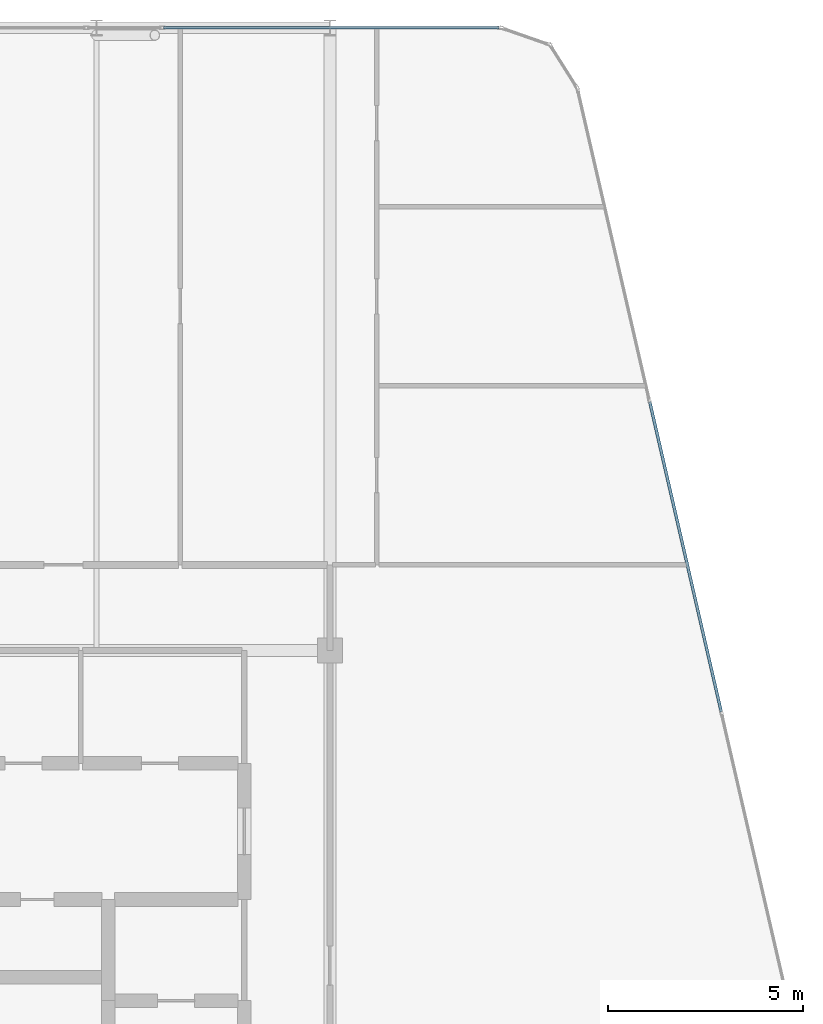
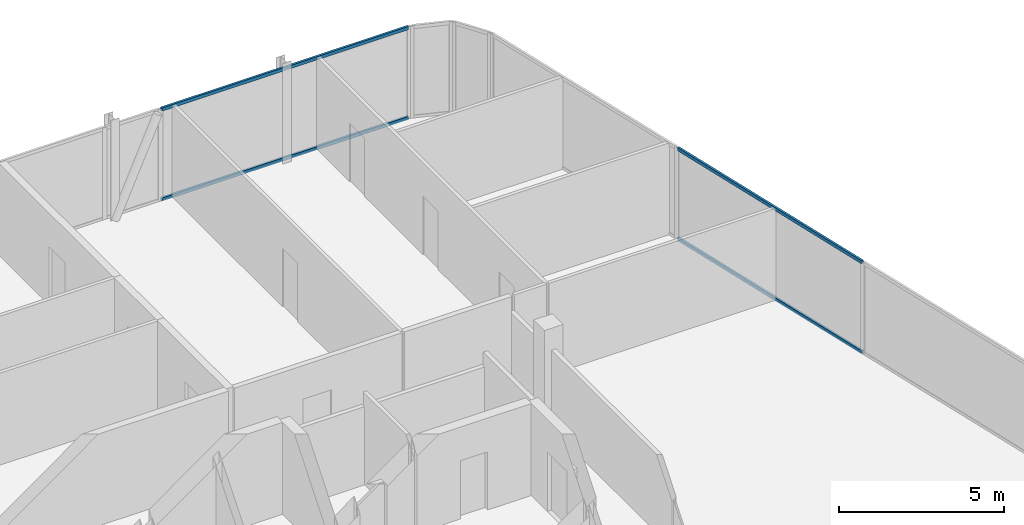
# One storey, part 18 of 27: 4 members, 2 elements without a shape of their own.
"""IFC4 building model written with IfcOpenShell, lengths in metres."""

from ifc_helpers import new_model, si_unit, direction, frame, origin, origin_2d, place, context, subcontext, project, spatial, hollow_rectangle, extrude, material, layer, layer_set, material_profile, profile_set, type_object, element, aggregate, save


model = new_model("IFC4")

# Units and contexts
model_context = context("Model", 3, precision=1e-05, world=origin(), true_north=direction((0.0, 1.0)))
body_context = subcontext(model_context, "Body", "Model", "MODEL_VIEW")
ifc_project = project(units=[si_unit("LENGTHUNIT", "METRE"), si_unit("AREAUNIT", "SQUARE_METRE"), si_unit("VOLUMEUNIT", "CUBIC_METRE"), si_unit("PLANEANGLEUNIT", "RADIAN"), si_unit("MASSUNIT", "GRAM", prefix="KILO")], contexts=[model_context])

# Site, building, storey
site_placement = place(None, origin())
site = spatial("IfcSite", under=ifc_project, at=site_placement, CompositionType="ELEMENT")
building_placement = place(site_placement, origin())
building = spatial("IfcBuilding", under=site, at=building_placement, Name="Keshet Zoharim Tower", CompositionType="ELEMENT")
storey_placement = place(building_placement, frame((0.0, 0.0, 307.300048828125)))
storey = spatial("IfcBuildingStorey", under=building, at=storey_placement, Name="L77", CompositionType="ELEMENT", Elevation=307.300048828125)

# Curtain wall, members
ifc_material = material(Name="Aluminium 6063-T6", Category="aluminium")
ifc_layer = layer(ifc_material, 0.260009765625)
ifc_layer_set = layer_set([ifc_layer], Name="Aluminium 6063-T6")
curtain_wall_type = type_object("IfcCurtainWallType", Name="CW-SYS-06", PredefinedType="NOTDEFINED", material=ifc_layer_set)
curtain_wall_1_placement = place(storey_placement, origin())
curtain_wall_1 = element("IfcCurtainWall", 1, at=curtain_wall_1_placement, inside=storey, type_object=curtain_wall_type, Name="L77 Unitised Curtain Wall 06 Part 5", PredefinedType="NOTDEFINED")
ifc_material_profile = material_profile(ifc_material, hollow_rectangle(XDim=0.074951171875, YDim=0.1201171875, WallThickness=0.00390625, at=origin_2d()), Name="TRN-75x120")
ifc_profile_set = profile_set([ifc_material_profile], Name="Aluminium 6063-T6")
member_type = type_object("IfcMemberType", Name="CWT-T12", PredefinedType="USERDEFINED", material=ifc_profile_set)
member_1_placement = place(storey_placement, frame((28.724853515625, 53.89990234375, 0.034912109375), z_axis=(1.0, 0.0, 0.0), x_axis=(0.0, 1.0, 0.0)))
member_1 = element("IfcMember", 2, at=member_1_placement, type_object=member_type, Name="CW-06 transom 1.1", ObjectType="TRANSOM", PredefinedType="USERDEFINED", context=body_context, shape_type="SweptSolid", body=[
    extrude(hollow_rectangle(XDim=0.074951171875, YDim=0.1201171875, WallThickness=0.00390625, at=origin_2d()), origin(), (0.0, 0.0, 1.0), 8.6142578125),
])
member_2_placement = place(storey_placement, frame((28.724853515625, 53.89990234375, 3.35498046875), z_axis=(1.0, 0.0, 0.0), x_axis=(0.0, 1.0, 0.0)))
member_2 = element("IfcMember", 3, at=member_2_placement, type_object=member_type, Name="CW-06 transom 1.2", ObjectType="TRANSOM", PredefinedType="USERDEFINED", context=body_context, shape_type="SweptSolid", body=[
    extrude(hollow_rectangle(XDim=0.074951171875, YDim=0.1201171875, WallThickness=0.00390625, at=origin_2d()), origin(), (0.0, 0.0, 1.0), 8.6142578125),
])
aggregate(curtain_wall_1, [member_1, member_2])

curtain_wall_2_placement = place(storey_placement, origin())
curtain_wall_2 = element("IfcCurtainWall", 4, at=curtain_wall_2_placement, inside=storey, type_object=curtain_wall_type, Name="L77 Unitised Curtain Wall 09", PredefinedType="NOTDEFINED")
member_3_placement = place(storey_placement, frame((41.218505859375, 44.28662109375, 0.034912109375), z_axis=(0.224826771459, -0.974398749402, 0.0), x_axis=(0.974398749402, 0.224826771459, 0.0)))
member_3 = element("IfcMember", 5, at=member_3_placement, type_object=member_type, Name="CW-06 transom 2.1", ObjectType="TRANSOM", PredefinedType="USERDEFINED", context=body_context, shape_type="SweptSolid", body=[
    extrude(hollow_rectangle(XDim=0.074951171875, YDim=0.1201171875, WallThickness=0.00390625, at=origin_2d()), origin(), (0.0, 0.0, 1.0), 8.17041015625),
])
member_4_placement = place(storey_placement, frame((41.218505859375, 44.28662109375, 3.35498046875), z_axis=(0.224826771459, -0.974398749402, 0.0), x_axis=(0.974398749402, 0.224826771459, 0.0)))
member_4 = element("IfcMember", 6, at=member_4_placement, type_object=member_type, Name="CW-06 transom 2.2", ObjectType="TRANSOM", PredefinedType="USERDEFINED", context=body_context, shape_type="SweptSolid", body=[
    extrude(hollow_rectangle(XDim=0.074951171875, YDim=0.1201171875, WallThickness=0.00390625, at=origin_2d()), origin(), (0.0, 0.0, 1.0), 8.17041015625),
])
aggregate(curtain_wall_2, [member_3, member_4])

save(model, "model.ifc")
